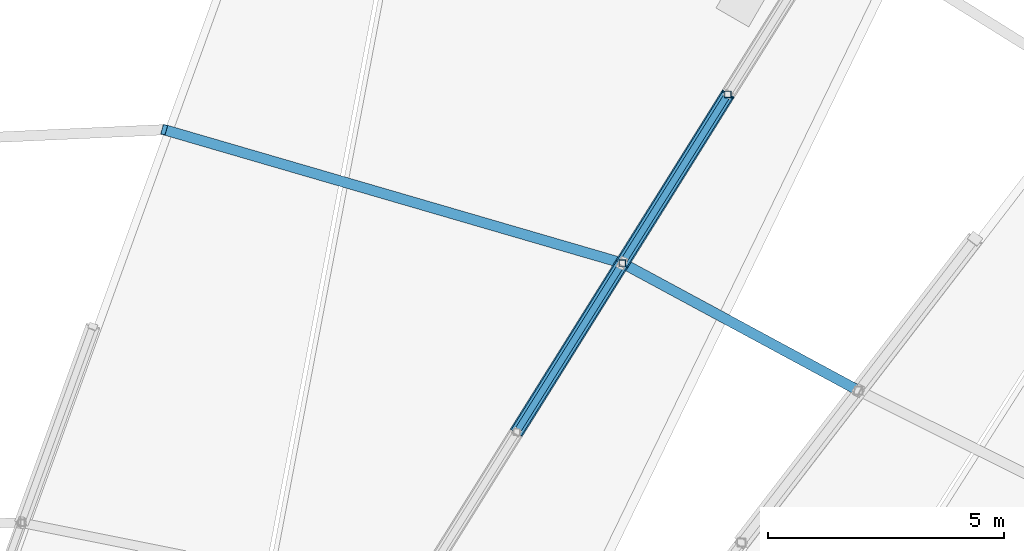
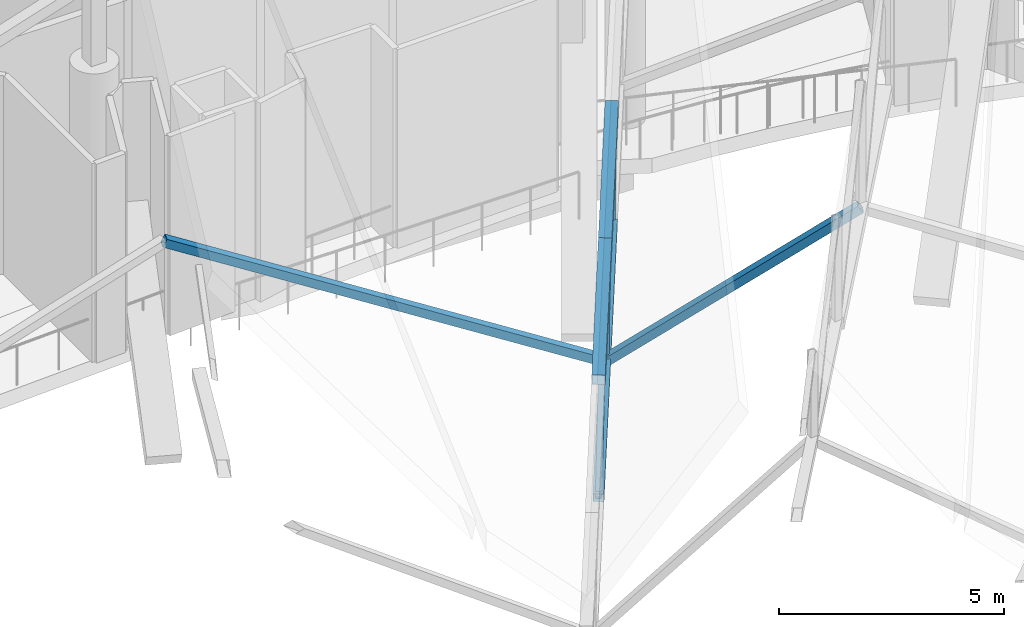
# One storey, part 189 of 344: 10 members.
"""IFC4 building model written with IfcOpenShell, lengths in metres."""

from ifc_helpers import new_model, si_unit, direction, frame, origin, origin_2d, place, context, subcontext, project, spatial, hollow_rectangle, extrude, material, material_profile, profile_set, type_object, element, save


model = new_model("IFC4")

# Units and contexts
model_context = context("Model", 3, precision=1e-05, world=origin(), true_north=direction((0.0, 1.0)))
body_context = subcontext(model_context, "Body", "Model", "MODEL_VIEW")
ifc_project = project(units=[si_unit("LENGTHUNIT", "METRE"), si_unit("AREAUNIT", "SQUARE_METRE"), si_unit("VOLUMEUNIT", "CUBIC_METRE"), si_unit("PLANEANGLEUNIT", "RADIAN"), si_unit("MASSUNIT", "GRAM", prefix="KILO")], contexts=[model_context])

# Site, building, storey
site_placement = place(None, origin())
site = spatial("IfcSite", under=ifc_project, at=site_placement, CompositionType="ELEMENT")
building_placement = place(site_placement, origin())
building = spatial("IfcBuilding", under=site, at=building_placement, Name="Meseta Stadium", CompositionType="ELEMENT")
storey_placement = place(building_placement, frame((0.0, 0.0, 24.0)))
storey = spatial("IfcBuildingStorey", under=building, at=storey_placement, Name="L04", CompositionType="ELEMENT", Elevation=24.0)

# Members
ifc_material_1 = material(Name="Steel S355", Category="steel")
ifc_material_profile_1 = material_profile(ifc_material_1, hollow_rectangle(XDim=0.139892578125, YDim=0.139892578125, WallThickness=0.0048828125, at=origin_2d()), Name="SHS 140x140x5")
ifc_profile_set_1 = profile_set([ifc_material_profile_1], Name="Steel S355")
member_type_1 = type_object("IfcMemberType", Name="SHS 140x140x5 diagonal", PredefinedType="BRACE", material=ifc_profile_set_1)
for number, where, z_axis, x_axis, name in (
    (1, (37.3896484375, 75.82568359375, 1.483154296875), (0.385641705742, 0.616656162795, 0.686305800412), (-0.847855154969, 0.53022790967, 0.0), "ROOF TRUSS RT-15 diagonal"),
    (2, (39.62548828125, 79.40087890625, 2.261962890625), (0.38565285101, 0.616673984515, 0.686283524012), (-0.847855154969, 0.53022790967, 0.0), "ROOF TRUSS RT-15 diagonal"),
):
    element("IfcMember", number, at=place(storey_placement, frame(where, z_axis=z_axis, x_axis=x_axis)), inside=storey, type_object=member_type_1, Name=name, PredefinedType="BRACE", context=body_context, shape_type="SweptSolid", body=[
        extrude(hollow_rectangle(XDim=0.139892578125, YDim=0.139892578125, WallThickness=0.0048828125, at=origin_2d()), origin(), (0.0, 0.0, 1.0), 5.797607421875),
    ])
ifc_material_2 = material(Name="Steel S355", Category="steel")
ifc_material_profile_2 = material_profile(ifc_material_2, hollow_rectangle(XDim=0.139892578125, YDim=0.139892578125, WallThickness=0.0048828125, at=origin_2d()), Name="SHS 140x140x5")
ifc_profile_set_2 = profile_set([ifc_material_profile_2], Name="Steel S355")
member_type_2 = type_object("IfcMemberType", Name="SHS 140x140x5 post", PredefinedType="POST", material=ifc_profile_set_2)
member_1_placement = place(storey_placement, frame((39.62548828125, 79.40087890625, 2.261962890625), z_axis=(0.0, 0.0, 1.0), x_axis=(1.0, 0.0, 0.0)))
element("IfcMember", 3, at=member_1_placement, inside=storey, type_object=member_type_2, Name="ROOF TRUSS RT-15 post", PredefinedType="POST", context=body_context, shape_type="SweptSolid", body=[
    extrude(hollow_rectangle(XDim=0.139892578125, YDim=0.139892578125, WallThickness=0.0048828125, at=origin_2d()), origin(), (0.0, 0.0, 1.0), 3.2001953125),
])
member_2_placement = place(storey_placement, frame((41.861328125, 82.97607421875, 3.040771484375), z_axis=(0.0, 0.0, 1.0), x_axis=(1.0, 0.0, 0.0)))
element("IfcMember", 4, at=member_2_placement, inside=storey, type_object=member_type_2, Name="ROOF TRUSS RT-15 post", PredefinedType="POST", context=body_context, shape_type="SweptSolid", body=[
    extrude(hollow_rectangle(XDim=0.139892578125, YDim=0.139892578125, WallThickness=0.0048828125, at=origin_2d()), origin(), (0.0, 0.0, 1.0), 3.199951171875),
])
ifc_material_3 = material(Name="Steel S355", Category="steel")
ifc_material_profile_3 = material_profile(ifc_material_3, hollow_rectangle(XDim=0.219970703125, YDim=0.219970703125, WallThickness=0.008056640625, at=origin_2d()), Name="SHS 220x220x8")
ifc_profile_set_3 = profile_set([ifc_material_profile_3], Name="Steel S355")
member_type_3 = type_object("IfcMemberType", Name="SHS 220x220x8 strut", PredefinedType="STRUT", material=ifc_profile_set_3)
member_3_placement = place(storey_placement, frame((44.622802734375, 76.703369140625, 6.316162109375), z_axis=(-0.716198737929, 0.38659826349, -0.581034551861), x_axis=(-0.475007114288, -0.879981955142, 0.0)))
element("IfcMember", 5, at=member_3_placement, inside=storey, type_object=member_type_3, Name="ROOF TRUSS STRUT RT-14/15", PredefinedType="STRUT", context=body_context, shape_type="SweptSolid", body=[
    extrude(hollow_rectangle(XDim=0.219970703125, YDim=0.219970703125, WallThickness=0.008056640625, at=origin_2d()), origin(), (0.0, 0.0, 1.0), 6.9775390625),
])
member_4_placement = place(storey_placement, frame((39.62548828125, 79.40087890625, 2.261962890625), z_axis=(-0.862705457789, 0.25121632144, 0.43889594774), x_axis=(-0.279583446732, -0.960121396654, 0.0)))
element("IfcMember", 6, at=member_4_placement, inside=storey, type_object=member_type_3, Name="ROOF TRUSS STRUT RT-15/16", PredefinedType="STRUT", context=body_context, shape_type="SweptSolid", body=[
    extrude(hollow_rectangle(XDim=0.219970703125, YDim=0.219970703125, WallThickness=0.008056640625, at=origin_2d()), origin(), (0.0, 0.0, 1.0), 11.2470703125),
])
ifc_material_4 = material(Name="Steel S355", Category="steel")
ifc_material_profile_4 = material_profile(ifc_material_4, hollow_rectangle(XDim=0.25, YDim=0.25, WallThickness=0.010009765625, at=origin_2d()), Name="SHS 250x250x10")
ifc_profile_set_4 = profile_set([ifc_material_profile_4], Name="Steel S355")
member_type_4 = type_object("IfcMemberType", Name="SHS 250x250x10 bottom chord", PredefinedType="CHORD", material=ifc_profile_set_4)
for number, where, z_axis, x_axis, name in (
    (7, (37.3896484375, 75.82568359375, 1.483154296875), (0.521409364603, 0.833753956676, 0.181622174392), (-0.847855154969, 0.53022790967, 0.0), "ROOF TRUSS RT-15 bottom chord"),
    (8, (39.62548828125, 79.40087890625, 2.261962890625), (0.521409364603, 0.833753956676, 0.181622174392), (-0.847855154969, 0.53022790967, 0.0), "ROOF TRUSS RT-15 bottom chord"),
):
    element("IfcMember", number, at=place(storey_placement, frame(where, z_axis=z_axis, x_axis=x_axis)), inside=storey, type_object=member_type_4, Name=name, PredefinedType="CHORD", context=body_context, shape_type="SweptSolid", body=[
        extrude(hollow_rectangle(XDim=0.25, YDim=0.25, WallThickness=0.010009765625, at=origin_2d()), origin(), (0.0, 0.0, 1.0), 4.2880859375),
    ])
ifc_material_5 = material(Name="Steel S355", Category="steel")
ifc_material_profile_5 = material_profile(ifc_material_5, hollow_rectangle(XDim=0.300048828125, YDim=0.300048828125, WallThickness=0.010009765625, at=origin_2d()), Name="SHS 300x300x10")
ifc_profile_set_5 = profile_set([ifc_material_profile_5], Name="Steel S355")
member_type_5 = type_object("IfcMemberType", Name="SHS 300x300x10 top chord", PredefinedType="CHORD", material=ifc_profile_set_5)
for number, where, z_axis, x_axis, name in (
    (9, (37.3896484375, 75.82568359375, 4.683349609375), (0.521409364603, 0.833753956676, 0.181622174392), (-0.847855154969, 0.53022790967, 0.0), "ROOF TRUSS RT-15 top chord"),
    (10, (39.62548828125, 79.40087890625, 5.462158203125), (0.521414755543, 0.833762577001, 0.181567116775), (-0.847855154969, 0.53022790967, 0.0), "ROOF TRUSS RT-15 top chord"),
):
    element("IfcMember", number, at=place(storey_placement, frame(where, z_axis=z_axis, x_axis=x_axis)), inside=storey, type_object=member_type_5, Name=name, PredefinedType="CHORD", context=body_context, shape_type="SweptSolid", body=[
        extrude(hollow_rectangle(XDim=0.300048828125, YDim=0.300048828125, WallThickness=0.010009765625, at=origin_2d()), origin(), (0.0, 0.0, 1.0), 4.2880859375),
    ])

save(model, "model.ifc")
